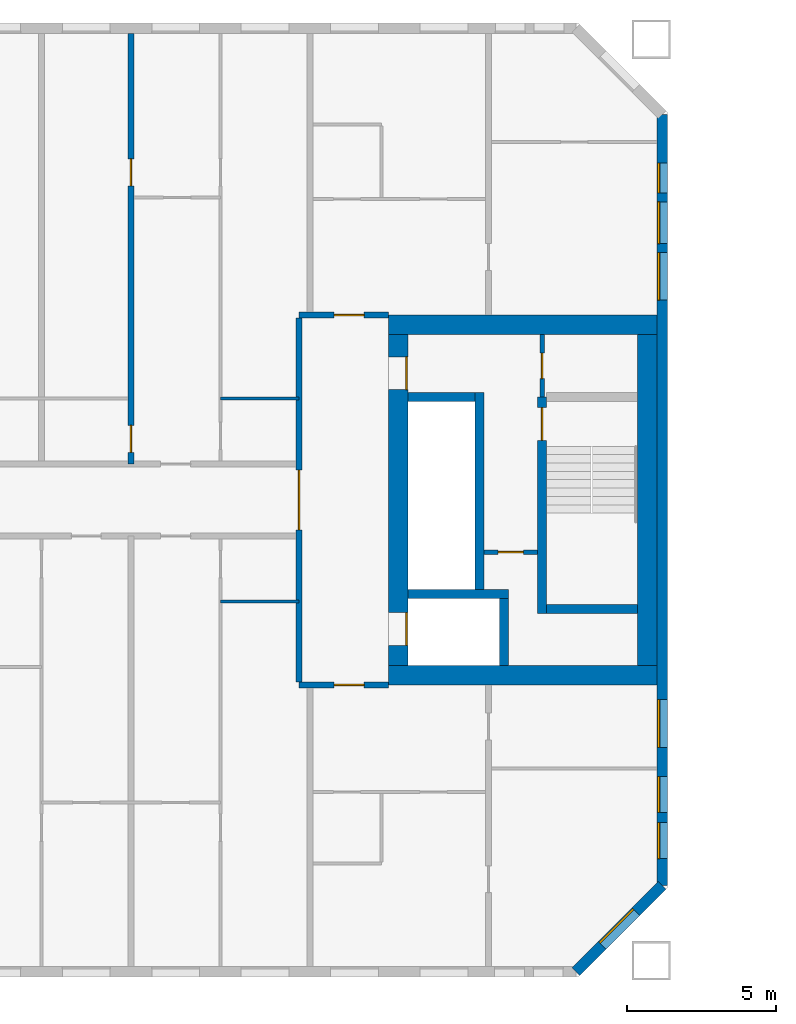
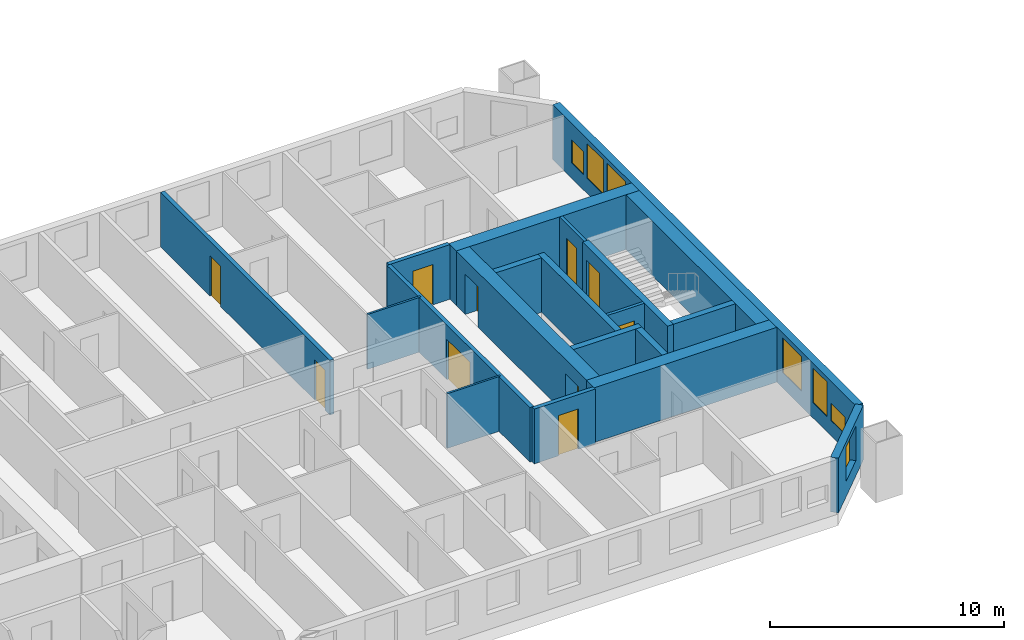
# One storey, part 7 of 16: 20 walls, 10 doors, 7 windows, 17 openings.
"""IFC4 building model written with IfcOpenShell, lengths in metres."""

import ifcopenshell
import ifcopenshell.guid

model = None  # the IFC model being written
_history = None  # IfcOwnerHistory: only IFC2X3 demands one
_inside = {}  # id of a spatial element -> (the spatial element, [elements in it])
_under = {}  # id of a project, library or spatial element -> (it, [spatial elements below it])
_declared = {}  # id of a project -> (the project, [libraries it declares])
_typed = {}  # id of a type object -> (the type object, [elements of that type])
_made_of = {}  # id of a material, layer set ... -> (it, [elements and type objects made of it])


def new_model(schema):
    """Start an empty IFC model of exactly this schema.

    Asked for "IFC4X3", IfcOpenShell would pick the latest addendum, in which some entities
    have other attributes; the version numbers below select the first issue.
    IFC2X3 requires an IfcOwnerHistory on every rooted entity: one is made here for all.
    """
    global model, _history
    if schema == "IFC4X3":
        model = ifcopenshell.file(schema_version=(4, 3, 0, 0))
    else:
        model = ifcopenshell.file(schema=schema)
    _inside.clear()
    _under.clear()
    _declared.clear()
    _typed.clear()
    _made_of.clear()
    _history = None
    if model.schema == "IFC2X3":
        org = make("IfcOrganization", Name="unknown")
        user = make(
            "IfcPersonAndOrganization",
            ThePerson=make("IfcPerson", FamilyName="unknown"),
            TheOrganization=org,
        )
        app = make(
            "IfcApplication",
            ApplicationDeveloper=org,
            Version="unknown",
            ApplicationFullName="unknown",
            ApplicationIdentifier="unknown",
        )
        _history = make(
            "IfcOwnerHistory",
            OwningUser=user,
            OwningApplication=app,
            ChangeAction="ADDED",
            CreationDate=0,
        )
    return model


def make(cls, **values):
    """One entity of the class cls with the attributes given. An attribute that is None is left unset."""
    return model.create_entity(
        cls, **{name: value for name, value in values.items() if value is not None}
    )


def rooted(cls, **values):
    """An entity with a GlobalId (a new one), such as an element, a storey or a relation."""
    return make(cls, GlobalId=ifcopenshell.guid.new(), OwnerHistory=_history, **values)


def si_unit(unit_type, name, prefix=None):
    """IfcSIUnit, for example si_unit("LENGTHUNIT", "METRE", prefix="MILLI")."""
    return make("IfcSIUnit", UnitType=unit_type, Prefix=prefix, Name=name)


def assignment(units):
    """IfcUnitAssignment: the units of a project."""
    return None if units is None else make("IfcUnitAssignment", Units=units)


def point(xyz):
    """IfcCartesianPoint."""
    return None if xyz is None else make("IfcCartesianPoint", Coordinates=xyz)


def direction(xyz):
    """IfcDirection."""
    return None if xyz is None else make("IfcDirection", DirectionRatios=xyz)


def frame(location, z_axis=None, x_axis=None):
    """IfcAxis2Placement3D, a coordinate frame: its origin and axes. An axis left out is left unset."""
    return make(
        "IfcAxis2Placement3D",
        Location=point(location),
        Axis=direction(z_axis),
        RefDirection=direction(x_axis),
    )


def frame_2d(location, x_axis=None):
    """IfcAxis2Placement2D, a coordinate frame in the plane: its origin and x axis."""
    return make(
        "IfcAxis2Placement2D", Location=point(location), RefDirection=direction(x_axis)
    )


def origin():
    """The frame at (0, 0, 0) with its axes left unset."""
    return frame((0.0, 0.0, 0.0))


def place(relative_to, where):
    """IfcLocalPlacement: puts the frame where relative to a parent placement (None: the world)."""
    return make(
        "IfcLocalPlacement", PlacementRelTo=relative_to, RelativePlacement=where
    )


def context(
    kind, dimensions, precision=None, world=None, true_north=None, identifier=None
):
    """IfcGeometricRepresentationContext, for example the 3D "Model" context."""
    return make(
        "IfcGeometricRepresentationContext",
        ContextIdentifier=identifier,
        ContextType=kind,
        CoordinateSpaceDimension=dimensions,
        Precision=precision,
        WorldCoordinateSystem=world,
        TrueNorth=true_north,
    )


def subcontext(parent, identifier, kind, view, scale=None):
    """IfcGeometricRepresentationSubContext, for example "Body" below "Model"."""
    return make(
        "IfcGeometricRepresentationSubContext",
        ContextIdentifier=identifier,
        ContextType=kind,
        ParentContext=parent,
        TargetScale=scale,
        TargetView=view,
    )


def project(units=None, contexts=None):
    """IfcProject with its units and contexts."""
    return rooted(
        "IfcProject",
        Name="project",
        RepresentationContexts=contexts,
        UnitsInContext=assignment(units),
    )


def spatial(cls, under=None, at=None, **own):
    """A site, building, storey or space (cls), placed at a placement, below another one or the project."""
    s = rooted(cls, ObjectPlacement=at, **own)
    if under is not None:
        _under.setdefault(under.id(), (under, []))[1].append(s)
    return s


def profile(cls, at=None, kind="AREA", **sizes):
    """A parametric profile (cls). Its sizes go by their IFC names, for example OverallWidth=200.0."""
    return make(cls, ProfileType=kind, Position=at, **sizes)


def rectangle(**sizes):
    """IfcRectangleProfileDef."""
    return profile("IfcRectangleProfileDef", **sizes)


def extrude(swept, where, along, depth):
    """IfcExtrudedAreaSolid: the profile swept, set in the frame where, extruded along a direction by depth."""
    return make(
        "IfcExtrudedAreaSolid",
        SweptArea=swept,
        Position=where,
        ExtrudedDirection=direction(along),
        Depth=depth,
    )


def shape(context_of_items, identifier, shape_type, items):
    """IfcShapeRepresentation: the items that make up one representation, for example the "Body"."""
    return make(
        "IfcShapeRepresentation",
        ContextOfItems=context_of_items,
        RepresentationIdentifier=identifier,
        RepresentationType=shape_type,
        Items=items,
    )


def material(Name=None, Category=None):
    """IfcMaterial."""
    return make("IfcMaterial", Name=Name, Category=Category)


def layer(
    of_material, thickness, ventilated=None, Name=None, Category=None, Priority=None
):
    """IfcMaterialLayer: one layer of a wall or slab, of a material (None: an air gap)."""
    return make(
        "IfcMaterialLayer",
        Material=of_material,
        LayerThickness=thickness,
        IsVentilated=ventilated,
        Name=Name,
        Category=Category,
        Priority=Priority,
    )


def layer_set(layers, Name=None):
    """IfcMaterialLayerSet."""
    return make("IfcMaterialLayerSet", MaterialLayers=layers, LayerSetName=Name)


def made_of(thing, what):
    """Note that an element or type object is made of a material, layer set ...; save() writes the relation."""
    if what is not None:
        _made_of.setdefault(what.id(), (what, []))[1].append(thing)
    return thing


def type_object(cls, material=None, **own):
    """A type object (cls), such as IfcWallType, which elements share."""
    return made_of(rooted(cls, **own), material)


def element(
    cls,
    number,
    at=None,
    inside=None,
    cuts=None,
    type_object=None,
    material=None,
    context=None,
    identifier="Body",
    shape_type=None,
    held_by="IfcProductDefinitionShape",
    body=None,
    shapes=None,
    **own,
):
    """One element of the class cls, such as IfcWall. Its Tag is "e" and its number.

    at: its placement. inside: the storey or other place that contains it. cuts: it is an
    opening in that element (IfcRelVoidsElement). A single representation is given by context,
    identifier, shape_type and body (its items); several are given by shapes. held_by: the class
    of the entity that holds the representations. save() writes the other relations.
    """
    e = rooted(cls, Tag="e%d" % number, ObjectPlacement=at, **own)
    if body is not None:
        shapes = [shape(context, identifier, shape_type, body)]
    if shapes is not None:
        e.Representation = make(held_by, Representations=shapes)
    if inside is not None:
        _inside.setdefault(inside.id(), (inside, []))[1].append(e)
    if cuts is not None:
        rooted(
            "IfcRelVoidsElement", RelatingBuildingElement=cuts, RelatedOpeningElement=e
        )
    if type_object is not None:
        _typed.setdefault(type_object.id(), (type_object, []))[1].append(e)
    return made_of(e, material)


def fill(opening, filler):
    """IfcRelFillsElement: the door or window that sits in an opening."""
    return rooted(
        "IfcRelFillsElement",
        RelatingOpeningElement=opening,
        RelatedBuildingElement=filler,
    )


def aggregate(whole, parts):
    """IfcRelAggregates: a whole, such as a stair, and the parts it consists of."""
    return rooted("IfcRelAggregates", RelatingObject=whole, RelatedObjects=parts)


def save(model, path):
    """Write the relations noted so far, then the file.

    IfcRelAggregates (storeys below a building ...), IfcRelContainedInSpatialStructure (elements
    in a storey), IfcRelDefinesByType, IfcRelAssociatesMaterial and IfcRelDeclares: one each for
    every whole, place, type object, material and project.
    """
    for whole, parts in _under.values():
        aggregate(whole, parts)
    for where, things in _inside.values():
        rooted(
            "IfcRelContainedInSpatialStructure",
            RelatedElements=things,
            RelatingStructure=where,
        )
    for kind, things in _typed.values():
        rooted("IfcRelDefinesByType", RelatedObjects=things, RelatingType=kind)
    for what, things in _made_of.values():
        rooted("IfcRelAssociatesMaterial", RelatedObjects=things, RelatingMaterial=what)
    for by, libraries in _declared.values():
        rooted("IfcRelDeclares", RelatingContext=by, RelatedDefinitions=libraries)
    model.write(path)


model = new_model("IFC4")

# Units and contexts
model_context = context("Model", 3, precision=1e-05, world=origin(), true_north=direction((0.0, 1.0)))
body_context = subcontext(model_context, "Body", "Model", "MODEL_VIEW")
ifc_project = project(units=[si_unit("LENGTHUNIT", "METRE"), si_unit("AREAUNIT", "SQUARE_METRE"), si_unit("VOLUMEUNIT", "CUBIC_METRE"), si_unit("PLANEANGLEUNIT", "RADIAN"), si_unit("MASSUNIT", "GRAM", prefix="KILO")], contexts=[model_context])

# Site, building, storey
site_placement = place(None, origin())
site = spatial("IfcSite", under=ifc_project, at=site_placement, CompositionType="ELEMENT")
building_placement = place(site_placement, origin())
building = spatial("IfcBuilding", under=site, at=building_placement, Name="Tuart Gate Housing", CompositionType="ELEMENT")
storey_placement = place(building_placement, frame((0.0, 0.0, 96.39990234375)))
storey = spatial("IfcBuildingStorey", under=building, at=storey_placement, Name="L26", CompositionType="ELEMENT", Elevation=96.39990234375)

# Wall, opening, window
ifc_material_1 = material(Name="Brick", Category="masonry")
ifc_layer_1 = layer(ifc_material_1, 0.360107421875)
ifc_layer_set_1 = layer_set([ifc_layer_1], Name="Brick pier and spandrel wall 360")
wall_type_1 = type_object("IfcWallType", Name="Brick pier and spandrel wall 360", PredefinedType="STANDARD", material=ifc_layer_set_1)
wall_1_placement = place(storey_placement, frame((72.92529296875, 54.179931640625, 0.0), z_axis=(0.0, 0.0, 1.0), x_axis=(0.707106781187, 0.707106781187, 0.0)))
wall_1 = element("IfcWall", 1, at=wall_1_placement, inside=storey, type_object=wall_type_1, Name="External wall A-SE L26", PredefinedType="STANDARD", context=body_context, shape_type="SweptSolid", body=[
    extrude(rectangle(XDim=4.09375, YDim=0.360107421875, at=frame_2d((2.046875, 0.0))), origin(), (0.0, 0.0, 1.0), 2.85009765625),
])
opening_1_placement = place(wall_1_placement, frame((1.2470703125, 0.0, 0.800048828125)))
opening_1 = element("IfcOpeningElement", 2, at=opening_1_placement, cuts=wall_1, Name="Opening W1", PredefinedType="OPENING", context=body_context, shape_type="SweptSolid", body=[
    extrude(rectangle(XDim=1.60009765625, YDim=1.800048828125, at=frame_2d((0.800048828125, 0.89990234375))), frame((0.0, 0.18994140625, 0.0), z_axis=(0.0, -1.0, 0.0), x_axis=(1.0, 0.0, 0.0)), (0.0, 0.0, 1.0), 0.380126953125),
])
ifc_material_2 = material(Name="Aluminium frame with clear glass", Category="aluminium")
window_type_1 = type_object("IfcWindowType", Name="Punched window 1600 x 1800", PartitioningType="SINGLE_PANEL", PredefinedType="WINDOW", material=ifc_material_2)
window_1_placement = place(opening_1_placement, origin())
window_1 = element("IfcWindow", 3, at=window_1_placement, inside=storey, type_object=window_type_1, Name="Window W1", OverallHeight=1.800048828125, OverallWidth=1.60009765625, PartitioningType="SINGLE_PANEL", PredefinedType="WINDOW", context=body_context, shape_type="SweptSolid", body=[
    extrude(rectangle(XDim=1.60009765625, YDim=1.800048828125, at=frame_2d((0.800048828125, 0.89990234375))), frame((0.0, 0.150146484375, 0.0), z_axis=(0.0, -1.0, 0.0), x_axis=(1.0, 0.0, 0.0)), (0.0, 0.0, 1.0), 0.06005859375),
])
fill(opening_1, window_1)

# Wall, openings, windows
wall_2_placement = place(storey_placement, frame((75.820068359375, 57.07470703125, 0.0), z_axis=(0.0, 0.0, 1.0), x_axis=(0.0, 1.0, 0.0)))
wall_2 = element("IfcWall", 4, at=wall_2_placement, inside=storey, type_object=wall_type_1, Name="External wall A-E L26", PredefinedType="STANDARD", context=body_context, shape_type="SweptSolid", body=[
    extrude(rectangle(XDim=25.850830078125, YDim=0.360107421875, at=frame_2d((12.92529296875, 0.0))), origin(), (0.0, 0.0, 1.0), 2.85009765625),
])
opening_2_placement = place(wall_2_placement, frame((0.89990234375, 0.0, 0.800048828125)))
opening_2 = element("IfcOpeningElement", 5, at=opening_2_placement, cuts=wall_2, Name="Opening W1T", PredefinedType="OPENING", context=body_context, shape_type="SweptSolid", body=[
    extrude(rectangle(XDim=1.199951171875, YDim=0.89990234375, at=frame_2d((0.60009765625, 0.449951171875))), frame((0.0, 0.18994140625, 0.0), z_axis=(0.0, -1.0, 0.0), x_axis=(1.0, 0.0, 0.0)), (0.0, 0.0, 1.0), 0.380126953125),
])
opening_3_placement = place(wall_2_placement, frame((4.62548828125, 0.0, 0.800048828125)))
opening_3 = element("IfcOpeningElement", 6, at=opening_3_placement, cuts=wall_2, Name="Opening W1", PredefinedType="OPENING", context=body_context, shape_type="SweptSolid", body=[
    extrude(rectangle(XDim=1.60009765625, YDim=1.800048828125, at=frame_2d((0.800048828125, 0.89990234375))), frame((0.0, 0.18994140625, 0.0), z_axis=(0.0, -1.0, 0.0), x_axis=(1.0, 0.0, 0.0)), (0.0, 0.0, 1.0), 0.380126953125),
])
opening_4_placement = place(wall_2_placement, frame((19.62548828125, 0.0, 0.800048828125)))
opening_4 = element("IfcOpeningElement", 7, at=opening_4_placement, cuts=wall_2, Name="Opening W1", PredefinedType="OPENING", context=body_context, shape_type="SweptSolid", body=[
    extrude(rectangle(XDim=1.60009765625, YDim=1.800048828125, at=frame_2d((0.800048828125, 0.89990234375))), frame((0.0, 0.18994140625, 0.0), z_axis=(0.0, -1.0, 0.0), x_axis=(1.0, 0.0, 0.0)), (0.0, 0.0, 1.0), 0.380126953125),
])
opening_5_placement = place(wall_2_placement, frame((21.525390625, 0.0, 0.800048828125)))
opening_5 = element("IfcOpeningElement", 8, at=opening_5_placement, cuts=wall_2, Name="Opening W1A", PredefinedType="OPENING", context=body_context, shape_type="SweptSolid", body=[
    extrude(rectangle(XDim=1.39990234375, YDim=1.800048828125, at=frame_2d((0.699951171875, 0.89990234375))), frame((0.0, 0.18994140625, 0.0), z_axis=(0.0, -1.0, 0.0), x_axis=(1.0, 0.0, 0.0)), (0.0, 0.0, 1.0), 0.380126953125),
])
opening_6_placement = place(wall_2_placement, frame((2.449951171875, 0.0, 0.800048828125)))
opening_6 = element("IfcOpeningElement", 9, at=opening_6_placement, cuts=wall_2, Name="Opening W1B", PredefinedType="OPENING", context=body_context, shape_type="SweptSolid", body=[
    extrude(rectangle(XDim=1.199951171875, YDim=1.800048828125, at=frame_2d((0.60009765625, 0.89990234375))), frame((0.0, 0.18994140625, 0.0), z_axis=(0.0, -1.0, 0.0), x_axis=(1.0, 0.0, 0.0)), (0.0, 0.0, 1.0), 0.380126953125),
])
opening_7_placement = place(wall_2_placement, frame((23.225341796875, 0.0, 0.800048828125)))
opening_7 = element("IfcOpeningElement", 10, at=opening_7_placement, cuts=wall_2, Name="Opening W1O", PredefinedType="OPENING", context=body_context, shape_type="SweptSolid", body=[
    extrude(rectangle(XDim=1.0, YDim=1.199951171875, at=frame_2d((0.5, 0.60009765625))), frame((0.0, 0.18994140625, 0.0), z_axis=(0.0, -1.0, 0.0), x_axis=(1.0, 0.0, 0.0)), (0.0, 0.0, 1.0), 0.380126953125),
])
ifc_material_3 = material(Name="Aluminium frame with clear glass", Category="aluminium")
window_type_2 = type_object("IfcWindowType", Name="Punched window 1000 x 1200", PartitioningType="SINGLE_PANEL", PredefinedType="WINDOW", material=ifc_material_3)
window_2_placement = place(opening_7_placement, origin())
window_2 = element("IfcWindow", 11, at=window_2_placement, inside=storey, type_object=window_type_2, Name="Window W1O", OverallHeight=1.199951171875, OverallWidth=1.0, PartitioningType="SINGLE_PANEL", PredefinedType="WINDOW", context=body_context, shape_type="SweptSolid", body=[
    extrude(rectangle(XDim=1.0, YDim=1.199951171875, at=frame_2d((0.5, 0.60009765625))), frame((0.0, 0.150146484375, 0.0), z_axis=(0.0, -1.0, 0.0), x_axis=(1.0, 0.0, 0.0)), (0.0, 0.0, 1.0), 0.06005859375),
])
fill(opening_7, window_2)
ifc_material_4 = material(Name="Aluminium frame with clear glass", Category="aluminium")
window_type_3 = type_object("IfcWindowType", Name="Punched window 1200 x 1800", PartitioningType="SINGLE_PANEL", PredefinedType="WINDOW", material=ifc_material_4)
window_3_placement = place(opening_6_placement, origin())
window_3 = element("IfcWindow", 12, at=window_3_placement, inside=storey, type_object=window_type_3, Name="Window W1B", OverallHeight=1.800048828125, OverallWidth=1.199951171875, PartitioningType="SINGLE_PANEL", PredefinedType="WINDOW", context=body_context, shape_type="SweptSolid", body=[
    extrude(rectangle(XDim=1.199951171875, YDim=1.800048828125, at=frame_2d((0.60009765625, 0.89990234375))), frame((0.0, 0.150146484375, 0.0), z_axis=(0.0, -1.0, 0.0), x_axis=(1.0, 0.0, 0.0)), (0.0, 0.0, 1.0), 0.06005859375),
])
fill(opening_6, window_3)
ifc_material_5 = material(Name="Aluminium frame with clear glass", Category="aluminium")
window_type_4 = type_object("IfcWindowType", Name="Punched window 1200 x 900", PartitioningType="SINGLE_PANEL", PredefinedType="WINDOW", material=ifc_material_5)
window_4_placement = place(opening_2_placement, origin())
window_4 = element("IfcWindow", 13, at=window_4_placement, inside=storey, type_object=window_type_4, Name="Window W1T", OverallHeight=0.89990234375, OverallWidth=1.199951171875, PartitioningType="SINGLE_PANEL", PredefinedType="WINDOW", context=body_context, shape_type="SweptSolid", body=[
    extrude(rectangle(XDim=1.199951171875, YDim=0.89990234375, at=frame_2d((0.60009765625, 0.449951171875))), frame((0.0, 0.150146484375, 0.0), z_axis=(0.0, -1.0, 0.0), x_axis=(1.0, 0.0, 0.0)), (0.0, 0.0, 1.0), 0.06005859375),
])
fill(opening_2, window_4)
ifc_material_6 = material(Name="Aluminium frame with clear glass", Category="aluminium")
window_type_5 = type_object("IfcWindowType", Name="Punched window 1400 x 1800", PartitioningType="SINGLE_PANEL", PredefinedType="WINDOW", material=ifc_material_6)
window_5_placement = place(opening_5_placement, origin())
window_5 = element("IfcWindow", 14, at=window_5_placement, inside=storey, type_object=window_type_5, Name="Window W1A", OverallHeight=1.800048828125, OverallWidth=1.39990234375, PartitioningType="SINGLE_PANEL", PredefinedType="WINDOW", context=body_context, shape_type="SweptSolid", body=[
    extrude(rectangle(XDim=1.39990234375, YDim=1.800048828125, at=frame_2d((0.699951171875, 0.89990234375))), frame((0.0, 0.150146484375, 0.0), z_axis=(0.0, -1.0, 0.0), x_axis=(1.0, 0.0, 0.0)), (0.0, 0.0, 1.0), 0.06005859375),
])
fill(opening_5, window_5)
window_6_placement = place(opening_3_placement, origin())
window_6 = element("IfcWindow", 15, at=window_6_placement, inside=storey, type_object=window_type_1, Name="Window W1", OverallHeight=1.800048828125, OverallWidth=1.60009765625, PartitioningType="SINGLE_PANEL", PredefinedType="WINDOW", context=body_context, shape_type="SweptSolid", body=[
    extrude(rectangle(XDim=1.60009765625, YDim=1.800048828125, at=frame_2d((0.800048828125, 0.89990234375))), frame((0.0, 0.150146484375, 0.0), z_axis=(0.0, -1.0, 0.0), x_axis=(1.0, 0.0, 0.0)), (0.0, 0.0, 1.0), 0.06005859375),
])
fill(opening_3, window_6)
window_7_placement = place(opening_4_placement, origin())
window_7 = element("IfcWindow", 16, at=window_7_placement, inside=storey, type_object=window_type_1, Name="Window W1", OverallHeight=1.800048828125, OverallWidth=1.60009765625, PartitioningType="SINGLE_PANEL", PredefinedType="WINDOW", context=body_context, shape_type="SweptSolid", body=[
    extrude(rectangle(XDim=1.60009765625, YDim=1.800048828125, at=frame_2d((0.800048828125, 0.89990234375))), frame((0.0, 0.150146484375, 0.0), z_axis=(0.0, -1.0, 0.0), x_axis=(1.0, 0.0, 0.0)), (0.0, 0.0, 1.0), 0.06005859375),
])
fill(opening_4, window_7)

# Wall, opening, door
ifc_material_7 = material(Name="Plasterboard partition")
ifc_layer_2 = layer(ifc_material_7, 0.14990234375)
ifc_layer_set_2 = layer_set([ifc_layer_2], Name="Core partition 150")
wall_type_2 = type_object("IfcWallType", Name="Core partition 150", PredefinedType="PARTITIONING", material=ifc_layer_set_2)
wall_3_placement = place(storey_placement, frame((69.840087890625, 68.25, 0.0), z_axis=(0.0, 0.0, 1.0), x_axis=(1.0, 0.0, 0.0)))
wall_3 = element("IfcWall", 17, at=wall_3_placement, inside=storey, type_object=wall_type_2, Name="Core partition AG.3", PredefinedType="PARTITIONING", context=body_context, shape_type="SweptSolid", body=[
    extrude(rectangle(XDim=1.7998046875, YDim=0.14990234375, at=frame_2d((0.89990234375, 0.0))), origin(), (0.0, 0.0, 1.0), 2.85009765625),
])
opening_8_placement = place(wall_3_placement, frame((0.47509765625, 0.0, 0.0)))
opening_8 = element("IfcOpeningElement", 18, at=opening_8_placement, cuts=wall_3, Name="Opening D1102", PredefinedType="OPENING", context=body_context, shape_type="SweptSolid", body=[
    extrude(rectangle(XDim=0.85009765625, YDim=2.10009765625, at=frame_2d((0.425048828125, 1.050048828125))), frame((0.0, 0.0849609375, 0.0), z_axis=(0.0, -1.0, 0.0), x_axis=(1.0, 0.0, 0.0)), (0.0, 0.0, 1.0), 0.169921875),
])
ifc_material_8 = material(Name="Steel fire door", Category="steel")
door_type_1 = type_object("IfcDoorType", Name="Riser door 850 x 2100 RH", OperationType="SINGLE_SWING_RIGHT", PredefinedType="DOOR", material=ifc_material_8)
door_1_placement = place(opening_8_placement, frame((0.85009765625, 0.0, 0.0), z_axis=(0.0, 0.0, 1.0), x_axis=(-1.0, 0.0, 0.0)))
door_1 = element("IfcDoor", 19, at=door_1_placement, inside=storey, type_object=door_type_1, Name="Service room door AG.E1", OperationType="SINGLE_SWING_RIGHT", OverallHeight=2.10009765625, OverallWidth=0.85009765625, PredefinedType="DOOR", context=body_context, shape_type="SweptSolid", body=[
    extrude(rectangle(XDim=0.85009765625, YDim=2.10009765625, at=frame_2d((0.425048828125, 1.050048828125))), frame((0.0, 0.025146484375, 0.0), z_axis=(0.0, -1.0, 0.0), x_axis=(1.0, 0.0, 0.0)), (0.0, 0.0, 1.0), 0.050048828125),
])
fill(opening_8, door_1)

wall_4_placement = place(storey_placement, frame((71.7900390625, 73.449951171875, 0.0), z_axis=(0.0, 0.0, 1.0), x_axis=(0.0, 1.0, 0.0)))
wall_4 = element("IfcWall", 20, at=wall_4_placement, inside=storey, type_object=wall_type_2, Name="Core partition AG.9", PredefinedType="PARTITIONING", context=body_context, shape_type="SweptSolid", body=[
    extrude(rectangle(XDim=2.10009765625, YDim=0.14990234375, at=frame_2d((1.050048828125, 0.0))), origin(), (0.0, 0.0, 1.0), 2.85009765625),
])
opening_9_placement = place(wall_4_placement, frame((0.625, 0.0, 0.0)))
opening_9 = element("IfcOpeningElement", 21, at=opening_9_placement, cuts=wall_4, Name="Opening D1088", PredefinedType="OPENING", context=body_context, shape_type="SweptSolid", body=[
    extrude(rectangle(XDim=0.85009765625, YDim=2.10009765625, at=frame_2d((0.425048828125, 1.050048828125))), frame((0.0, 0.0849609375, 0.0), z_axis=(0.0, -1.0, 0.0), x_axis=(1.0, 0.0, 0.0)), (0.0, 0.0, 1.0), 0.169921875),
])
ifc_material_9 = material(Name="Steel fire door", Category="steel")
door_type_2 = type_object("IfcDoorType", Name="Service door 850 x 2100 RH", OperationType="SINGLE_SWING_RIGHT", PredefinedType="DOOR", material=ifc_material_9)
door_2_placement = place(opening_9_placement, frame((0.85009765625, 0.0, 0.0), z_axis=(0.0, 0.0, 1.0), x_axis=(-1.0, 0.0, 0.0)))
door_2 = element("IfcDoor", 22, at=door_2_placement, inside=storey, type_object=door_type_2, Name="Service room door AG.ST", OperationType="SINGLE_SWING_RIGHT", OverallHeight=2.10009765625, OverallWidth=0.85009765625, PredefinedType="DOOR", context=body_context, shape_type="SweptSolid", body=[
    extrude(rectangle(XDim=0.85009765625, YDim=2.10009765625, at=frame_2d((0.425048828125, 1.050048828125))), frame((0.0, 0.025146484375, 0.0), z_axis=(0.0, -1.0, 0.0), x_axis=(1.0, 0.0, 0.0)), (0.0, 0.0, 1.0), 0.050048828125),
])
fill(opening_9, door_2)

# Walls
ifc_material_10 = material(Name="Concrete C50", Category="concrete")
ifc_layer_3 = layer(ifc_material_10, 0.300048828125)
ifc_layer_set_3 = layer_set([ifc_layer_3], Name="Core wall 300 C50")
wall_type_3 = type_object("IfcWallType", Name="Core wall 300 C50", PredefinedType="SHEAR", material=ifc_layer_set_3)
wall_5_placement = place(storey_placement, frame((71.93994140625, 66.35009765625, 0.0), z_axis=(0.0, 0.0, 1.0), x_axis=(1.0, 0.0, 0.0)))
element("IfcWall", 23, at=wall_5_placement, inside=storey, type_object=wall_type_3, Name="Core wall AG.1", PredefinedType="SHEAR", context=body_context, shape_type="SweptSolid", body=[
    extrude(rectangle(XDim=3.050048828125, YDim=0.300048828125, at=frame_2d((1.52490234375, 0.0))), origin(), (0.0, 0.0, 1.0), 2.85009765625),
])
wall_6_placement = place(storey_placement, frame((67.2900390625, 66.85009765625, 0.0), z_axis=(0.0, 0.0, 1.0), x_axis=(1.0, 0.0, 0.0)))
element("IfcWall", 24, at=wall_6_placement, inside=storey, type_object=wall_type_3, Name="Core wall AG.2", PredefinedType="SHEAR", context=body_context, shape_type="SweptSolid", body=[
    extrude(rectangle(XDim=3.369873046875, YDim=0.300048828125, at=frame_2d((1.68505859375, 0.0))), origin(), (0.0, 0.0, 1.0), 2.85009765625),
])
wall_7_placement = place(storey_placement, frame((67.2900390625, 73.449951171875, 0.0), z_axis=(0.0, 0.0, 1.0), x_axis=(1.0, 0.0, 0.0)))
element("IfcWall", 25, at=wall_7_placement, inside=storey, type_object=wall_type_3, Name="Core wall AG.4", PredefinedType="SHEAR", context=body_context, shape_type="SweptSolid", body=[
    extrude(rectangle(XDim=2.25, YDim=0.300048828125, at=frame_2d((1.125, 0.0))), origin(), (0.0, 0.0, 1.0), 2.85009765625),
])
wall_8_placement = place(storey_placement, frame((69.68994140625, 67.0, 0.0), z_axis=(0.0, 0.0, 1.0), x_axis=(0.0, 1.0, 0.0)))
element("IfcWall", 26, at=wall_8_placement, inside=storey, type_object=wall_type_3, Name="Core wall AG.6", PredefinedType="SHEAR", context=body_context, shape_type="SweptSolid", body=[
    extrude(rectangle(XDim=6.60009765625, YDim=0.300048828125, at=frame_2d((3.300048828125, 0.0))), origin(), (0.0, 0.0, 1.0), 2.85009765625),
])
wall_9_placement = place(storey_placement, frame((70.510009765625, 64.449951171875, 0.0), z_axis=(0.0, 0.0, 1.0), x_axis=(0.0, 1.0, 0.0)))
element("IfcWall", 27, at=wall_9_placement, inside=storey, type_object=wall_type_3, Name="Core wall AG.7", PredefinedType="SHEAR", context=body_context, shape_type="SweptSolid", body=[
    extrude(rectangle(XDim=2.25, YDim=0.300048828125, at=frame_2d((1.125, 0.0))), origin(), (0.0, 0.0, 1.0), 2.85009765625),
])

# Wall, opening, door
wall_10_placement = place(storey_placement, frame((71.7900390625, 66.199951171875, 0.0), z_axis=(0.0, 0.0, 1.0), x_axis=(0.0, 1.0, 0.0)))
wall_10 = element("IfcWall", 28, at=wall_10_placement, inside=storey, type_object=wall_type_3, Name="Core wall AG.8", PredefinedType="SHEAR", context=body_context, shape_type="SweptSolid", body=[
    extrude(rectangle(XDim=7.25, YDim=0.300048828125, at=frame_2d((3.625, 0.0))), origin(), (0.0, 0.0, 1.0), 2.85009765625),
])
opening_10_placement = place(wall_10_placement, frame((5.800048828125, 0.0, 0.0)))
opening_10 = element("IfcOpeningElement", 29, at=opening_10_placement, cuts=wall_10, Name="Opening D1098", PredefinedType="OPENING", context=body_context, shape_type="SweptSolid", body=[
    extrude(rectangle(XDim=1.10009765625, YDim=2.10009765625, at=frame_2d((0.550048828125, 1.050048828125))), frame((0.0, 0.159912109375, 0.0), z_axis=(0.0, -1.0, 0.0), x_axis=(1.0, 0.0, 0.0)), (0.0, 0.0, 1.0), 0.320068359375),
])
ifc_material_11 = material(Name="Steel fire door", Category="steel")
door_type_3 = type_object("IfcDoorType", Name="Stair door 1100 x 2100", OperationType="SINGLE_SWING_LEFT", PredefinedType="DOOR", material=ifc_material_11)
door_3_placement = place(opening_10_placement, frame((1.10009765625, 0.0, 0.0), z_axis=(0.0, 0.0, 1.0), x_axis=(-1.0, 0.0, 0.0)))
door_3 = element("IfcDoor", 30, at=door_3_placement, inside=storey, type_object=door_type_3, Name="Stair door AG.SD", OperationType="SINGLE_SWING_LEFT", OverallHeight=2.10009765625, OverallWidth=1.10009765625, PredefinedType="DOOR", context=body_context, shape_type="SweptSolid", body=[
    extrude(rectangle(XDim=1.10009765625, YDim=2.10009765625, at=frame_2d((0.550048828125, 1.050048828125))), frame((0.0, 0.025146484375, 0.0), z_axis=(0.0, -1.0, 0.0), x_axis=(1.0, 0.0, 0.0)), (0.0, 0.0, 1.0), 0.050048828125),
])
fill(opening_10, door_3)

# Wall, openings, doors
ifc_material_12 = material(Name="Concrete C50", Category="concrete")
ifc_layer_4 = layer(ifc_material_12, 0.64990234375)
ifc_layer_set_4 = layer_set([ifc_layer_4], Name="Core wall 650 C50")
wall_type_4 = type_object("IfcWallType", Name="Core wall 650 C50", PredefinedType="SHEAR", material=ifc_layer_set_4)
wall_11_placement = place(storey_placement, frame((66.965087890625, 64.449951171875, 0.0), z_axis=(0.0, 0.0, 1.0), x_axis=(0.0, 1.0, 0.0)))
wall_11 = element("IfcWall", 31, at=wall_11_placement, inside=storey, type_object=wall_type_4, Name="Core wall AG front", PredefinedType="SHEAR", context=body_context, shape_type="SweptSolid", body=[
    extrude(rectangle(XDim=11.10009765625, YDim=0.64990234375, at=frame_2d((5.550048828125, 0.0))), origin(), (0.0, 0.0, 1.0), 2.85009765625),
])
opening_11_placement = place(wall_11_placement, frame((0.675048828125, 0.0, 0.0)))
opening_11 = element("IfcOpeningElement", 32, at=opening_11_placement, cuts=wall_11, Name="Opening LD-FA1", PredefinedType="OPENING", context=body_context, shape_type="SweptSolid", body=[
    extrude(rectangle(XDim=1.10009765625, YDim=2.10009765625, at=frame_2d((0.550048828125, 1.050048828125))), frame((0.0, 0.3349609375, 0.0), z_axis=(0.0, -1.0, 0.0), x_axis=(1.0, 0.0, 0.0)), (0.0, 0.0, 1.0), 0.669921875),
])
opening_12_placement = place(wall_11_placement, frame((9.25, 0.0, 0.0)))
opening_12 = element("IfcOpeningElement", 33, at=opening_12_placement, cuts=wall_11, Name="Opening D1097", PredefinedType="OPENING", context=body_context, shape_type="SweptSolid", body=[
    extrude(rectangle(XDim=1.10009765625, YDim=2.10009765625, at=frame_2d((0.550048828125, 1.050048828125))), frame((0.0, 0.3349609375, 0.0), z_axis=(0.0, -1.0, 0.0), x_axis=(1.0, 0.0, 0.0)), (0.0, 0.0, 1.0), 0.669921875),
])
ifc_material_13 = material(Name="Stainless steel", Category="steel")
door_type_4 = type_object("IfcDoorType", Name="Landing door 1100 x 2100", OperationType="DOUBLE_DOOR_SLIDING", PredefinedType="DOOR", material=ifc_material_13)
door_4_placement = place(opening_11_placement, origin())
door_4 = element("IfcDoor", 34, at=door_4_placement, inside=storey, type_object=door_type_4, Name="Lift landing door FA1", OperationType="DOUBLE_DOOR_SLIDING", OverallHeight=2.10009765625, OverallWidth=1.10009765625, PredefinedType="DOOR", context=body_context, shape_type="SweptSolid", body=[
    extrude(rectangle(XDim=1.10009765625, YDim=2.10009765625, at=frame_2d((0.550048828125, 1.050048828125))), frame((0.0, -0.259765625, 0.0), z_axis=(0.0, -1.0, 0.0), x_axis=(1.0, 0.0, 0.0)), (0.0, 0.0, 1.0), 0.050048828125),
])
fill(opening_11, door_4)
ifc_material_14 = material(Name="Steel fire door", Category="steel")
door_type_5 = type_object("IfcDoorType", Name="Lobby door 1100 x 2100 RH", OperationType="SINGLE_SWING_RIGHT", PredefinedType="DOOR", material=ifc_material_14)
door_5_placement = place(opening_12_placement, frame((1.10009765625, 0.0, 0.0), z_axis=(0.0, 0.0, 1.0), x_axis=(-1.0, 0.0, 0.0)))
door_5 = element("IfcDoor", 35, at=door_5_placement, inside=storey, type_object=door_type_5, Name="Lobby entry door AG.EN", OperationType="SINGLE_SWING_RIGHT", OverallHeight=2.10009765625, OverallWidth=1.10009765625, PredefinedType="DOOR", context=body_context, shape_type="SweptSolid", body=[
    extrude(rectangle(XDim=1.10009765625, YDim=2.10009765625, at=frame_2d((0.550048828125, 1.050048828125))), frame((0.0, 0.309814453125, 0.0), z_axis=(0.0, -1.0, 0.0), x_axis=(1.0, 0.0, 0.0)), (0.0, 0.0, 1.0), 0.050048828125),
])
fill(opening_12, door_5)

# Walls
wall_12_placement = place(storey_placement, frame((75.31494140625, 64.449951171875, 0.0), z_axis=(0.0, 0.0, 1.0), x_axis=(0.0, 1.0, 0.0)))
element("IfcWall", 36, at=wall_12_placement, inside=storey, type_object=wall_type_4, Name="Core wall AG back", PredefinedType="SHEAR", context=body_context, shape_type="SweptSolid", body=[
    extrude(rectangle(XDim=11.10009765625, YDim=0.64990234375, at=frame_2d((5.550048828125, 0.0))), origin(), (0.0, 0.0, 1.0), 2.85009765625),
])
for number, where, z_axis, x_axis, name in (
    (37, (66.639892578125, 64.125, 0.0), (0.0, 0.0, 1.0), (1.0, 0.0, 0.0), "Core wall AG south"),
    (38, (66.639892578125, 75.875, 0.0), (0.0, 0.0, 1.0), (1.0, 0.0, 0.0), "Core wall AG north"),
):
    element("IfcWall", number, at=place(storey_placement, frame(where, z_axis=z_axis, x_axis=x_axis)), inside=storey, type_object=wall_type_4, Name=name, PredefinedType="SHEAR", context=body_context, shape_type="SweptSolid", body=[
        extrude(rectangle(XDim=9.0, YDim=0.64990234375, at=frame_2d((4.5, 0.0))), origin(), (0.0, 0.0, 1.0), 2.85009765625),
    ])

# Wall, opening, door
ifc_material_15 = material(Name="Concrete masonry 15 MPa", Category="masonry")
ifc_layer_5 = layer(ifc_material_15, 0.199951171875)
ifc_layer_set_5 = layer_set([ifc_layer_5], Name="Enclosure wall masonry 200")
wall_type_5 = type_object("IfcWallType", Name="Enclosure wall masonry 200", PredefinedType="PARTITIONING", material=ifc_layer_set_5)
wall_13_placement = place(storey_placement, frame((63.639892578125, 63.800048828125, 0.0), z_axis=(0.0, 0.0, 1.0), x_axis=(1.0, 0.0, 0.0)))
wall_13 = element("IfcWall", 39, at=wall_13_placement, inside=storey, type_object=wall_type_5, Name="Enclosure wall masonry 200", PredefinedType="PARTITIONING", context=body_context, shape_type="SweptSolid", body=[
    extrude(rectangle(XDim=3.0, YDim=0.199951171875, at=frame_2d((1.5, 0.0))), origin(), (0.0, 0.0, 1.0), 2.85009765625),
])
opening_13_placement = place(wall_13_placement, frame((1.179931640625, 0.0, 0.0)))
opening_13 = element("IfcOpeningElement", 40, at=opening_13_placement, cuts=wall_13, Name="Opening D1105", PredefinedType="OPENING", context=body_context, shape_type="SweptSolid", body=[
    extrude(rectangle(XDim=1.0, YDim=2.10009765625, at=frame_2d((0.5, 1.050048828125))), frame((0.0, 0.10986328125, 0.0), z_axis=(0.0, -1.0, 0.0), x_axis=(1.0, 0.0, 0.0)), (0.0, 0.0, 1.0), 0.219970703125),
])
ifc_material_16 = material(Name="Timber door leaf in steel frame", Category="steel")
door_type_6 = type_object("IfcDoorType", Name="Flat entrance door 1000 RH", OperationType="SINGLE_SWING_RIGHT", PredefinedType="DOOR", material=ifc_material_16)
door_6_placement = place(opening_13_placement, frame((1.0, 0.0, 0.0), z_axis=(0.0, 0.0, 1.0), x_axis=(-1.0, 0.0, 0.0)))
door_6 = element("IfcDoor", 41, at=door_6_placement, inside=storey, type_object=door_type_6, Name="Flat entrance door", OperationType="SINGLE_SWING_RIGHT", OverallHeight=2.10009765625, OverallWidth=1.0, PredefinedType="DOOR", context=body_context, shape_type="SweptSolid", body=[
    extrude(rectangle(XDim=1.0, YDim=2.10009765625, at=frame_2d((0.5, 1.050048828125))), frame((0.0, 0.025146484375, 0.0), z_axis=(0.0, -1.0, 0.0), x_axis=(1.0, 0.0, 0.0)), (0.0, 0.0, 1.0), 0.050048828125),
])
fill(opening_13, door_6)

wall_14_placement = place(storey_placement, frame((63.639892578125, 76.199951171875, 0.0), z_axis=(0.0, 0.0, 1.0), x_axis=(1.0, 0.0, 0.0)))
wall_14 = element("IfcWall", 42, at=wall_14_placement, inside=storey, type_object=wall_type_5, Name="Enclosure wall masonry 200", PredefinedType="PARTITIONING", context=body_context, shape_type="SweptSolid", body=[
    extrude(rectangle(XDim=3.0, YDim=0.199951171875, at=frame_2d((1.5, 0.0))), origin(), (0.0, 0.0, 1.0), 2.85009765625),
])
opening_14_placement = place(wall_14_placement, frame((1.179931640625, 0.0, 0.0)))
opening_14 = element("IfcOpeningElement", 43, at=opening_14_placement, cuts=wall_14, Name="Opening D1087", PredefinedType="OPENING", context=body_context, shape_type="SweptSolid", body=[
    extrude(rectangle(XDim=1.0, YDim=2.10009765625, at=frame_2d((0.5, 1.050048828125))), frame((0.0, 0.10986328125, 0.0), z_axis=(0.0, -1.0, 0.0), x_axis=(1.0, 0.0, 0.0)), (0.0, 0.0, 1.0), 0.219970703125),
])
ifc_material_17 = material(Name="Timber door leaf in steel frame", Category="steel")
door_type_7 = type_object("IfcDoorType", Name="Flat entrance door 1000", OperationType="SINGLE_SWING_LEFT", PredefinedType="DOOR", material=ifc_material_17)
door_7_placement = place(opening_14_placement, origin())
door_7 = element("IfcDoor", 44, at=door_7_placement, inside=storey, type_object=door_type_7, Name="Flat entrance door", OperationType="SINGLE_SWING_LEFT", OverallHeight=2.10009765625, OverallWidth=1.0, PredefinedType="DOOR", context=body_context, shape_type="SweptSolid", body=[
    extrude(rectangle(XDim=1.0, YDim=2.10009765625, at=frame_2d((0.5, 1.050048828125))), frame((0.0, 0.02490234375, 0.0), z_axis=(0.0, -1.0, 0.0), x_axis=(1.0, 0.0, 0.0)), (0.0, 0.0, 1.0), 0.050048828125),
])
fill(opening_14, door_7)

ifc_material_18 = material(Name="Plasterboard partition")
ifc_layer_6 = layer(ifc_material_18, 0.199951171875)
ifc_layer_set_6 = layer_set([ifc_layer_6], Name="Lobby wall 200")
wall_type_6 = type_object("IfcWallType", Name="Lobby wall 200", PredefinedType="PARTITIONING", material=ifc_layer_set_6)
wall_15_placement = place(storey_placement, frame((63.639892578125, 63.89990234375, 0.0), z_axis=(0.0, 0.0, 1.0), x_axis=(0.0, 1.0, 0.0)))
wall_15 = element("IfcWall", 45, at=wall_15_placement, inside=storey, type_object=wall_type_6, Name="Lift lobby wall AG", PredefinedType="PARTITIONING", context=body_context, shape_type="SweptSolid", body=[
    extrude(rectangle(XDim=12.2001953125, YDim=0.199951171875, at=frame_2d((6.10009765625, 0.0))), origin(), (0.0, 0.0, 1.0), 2.85009765625),
])
opening_15_placement = place(wall_15_placement, frame((5.10009765625, 0.0, 0.0)))
opening_15 = element("IfcOpeningElement", 46, at=opening_15_placement, cuts=wall_15, Name="Opening D1096", PredefinedType="OPENING", context=body_context, shape_type="SweptSolid", body=[
    extrude(rectangle(XDim=2.0, YDim=2.10009765625, at=frame_2d((1.0, 1.050048828125))), frame((0.0, 0.10986328125, 0.0), z_axis=(0.0, -1.0, 0.0), x_axis=(1.0, 0.0, 0.0)), (0.0, 0.0, 1.0), 0.219970703125),
])
ifc_material_19 = material(Name="Steel fire door", Category="steel")
door_type_8 = type_object("IfcDoorType", Name="Smoke door 2000 x 2100", OperationType="DOUBLE_DOOR_SINGLE_SWING", PredefinedType="DOOR", material=ifc_material_19)
door_8_placement = place(opening_15_placement, frame((2.0, 0.0, 0.0), z_axis=(0.0, 0.0, 1.0), x_axis=(-1.0, 0.0, 0.0)))
door_8 = element("IfcDoor", 47, at=door_8_placement, inside=storey, type_object=door_type_8, Name="Lift lobby smoke door AG", OperationType="DOUBLE_DOOR_SINGLE_SWING", OverallHeight=2.10009765625, OverallWidth=2.0, PredefinedType="DOOR", context=body_context, shape_type="SweptSolid", body=[
    extrude(rectangle(XDim=2.0, YDim=2.10009765625, at=frame_2d((1.0, 1.050048828125))), frame((0.0, 0.025146484375, 0.0), z_axis=(0.0, -1.0, 0.0), x_axis=(1.0, 0.0, 0.0)), (0.0, 0.0, 1.0), 0.050048828125),
])
fill(opening_15, door_8)

# Walls
ifc_material_20 = material(Name="Gypsum board on steel studs", Category="steel")
ifc_layer_7 = layer(ifc_material_20, 0.10009765625)
ifc_layer_set_7 = layer_set([ifc_layer_7], Name="Partition 100")
wall_type_7 = type_object("IfcWallType", Name="Partition 100", PredefinedType="PARTITIONING", material=ifc_layer_set_7)
for number, where, z_axis, x_axis, name in (
    (48, (61.0, 66.60009765625, 0.0), (0.0, 0.0, 1.0), (1.0, 0.0, 0.0), "Partition 100"),
    (49, (61.0, 73.39990234375, 0.0), (0.0, 0.0, 1.0), (1.0, 0.0, 0.0), "Partition 100"),
):
    element("IfcWall", number, at=place(storey_placement, frame(where, z_axis=z_axis, x_axis=x_axis)), inside=storey, type_object=wall_type_7, Name=name, PredefinedType="PARTITIONING", context=body_context, shape_type="SweptSolid", body=[
        extrude(rectangle(XDim=2.639892578125, YDim=0.10009765625, at=frame_2d((1.31982421875, 0.0))), origin(), (0.0, 0.0, 1.0), 2.85009765625),
    ])

# Wall, openings, doors
ifc_material_21 = material(Name="Concrete C40", Category="concrete")
ifc_layer_8 = layer(ifc_material_21, 0.199951171875)
ifc_layer_set_8 = layer_set([ifc_layer_8], Name="Party wall concrete C40 200")
wall_type_8 = type_object("IfcWallType", Name="Party wall concrete C40 200", PredefinedType="SOLIDWALL", material=ifc_layer_set_8)
wall_16_placement = place(storey_placement, frame((58.0, 71.199951171875, 0.0), z_axis=(0.0, 0.0, 1.0), x_axis=(0.0, 1.0, 0.0)))
wall_16 = element("IfcWall", 50, at=wall_16_placement, inside=storey, type_object=wall_type_8, Name="Party wall concrete C40 200", PredefinedType="SOLIDWALL", context=body_context, shape_type="SweptSolid", body=[
    extrude(rectangle(XDim=14.43994140625, YDim=0.199951171875, at=frame_2d((7.219970703125, 0.0))), origin(), (0.0, 0.0, 1.0), 2.85009765625),
])
opening_16_placement = place(wall_16_placement, frame((9.340087890625, 0.0, 0.0)))
opening_16 = element("IfcOpeningElement", 51, at=opening_16_placement, cuts=wall_16, Name="Opening D1085", PredefinedType="OPENING", context=body_context, shape_type="SweptSolid", body=[
    extrude(rectangle(XDim=0.89990234375, YDim=2.10009765625, at=frame_2d((0.449951171875, 1.050048828125))), frame((0.0, 0.10986328125, 0.0), z_axis=(0.0, -1.0, 0.0), x_axis=(1.0, 0.0, 0.0)), (0.0, 0.0, 1.0), 0.219970703125),
])
opening_17_placement = place(wall_16_placement, frame((0.39990234375, 0.0, 0.0)))
opening_17 = element("IfcOpeningElement", 52, at=opening_17_placement, cuts=wall_16, Name="Opening D1084", PredefinedType="OPENING", context=body_context, shape_type="SweptSolid", body=[
    extrude(rectangle(XDim=0.89990234375, YDim=2.10009765625, at=frame_2d((0.449951171875, 1.050048828125))), frame((0.0, 0.10986328125, 0.0), z_axis=(0.0, -1.0, 0.0), x_axis=(1.0, 0.0, 0.0)), (0.0, 0.0, 1.0), 0.219970703125),
])
ifc_material_22 = material(Name="Timber door leaf in steel frame", Category="steel")
door_type_9 = type_object("IfcDoorType", Name="Bathroom door 900", OperationType="SINGLE_SWING_LEFT", PredefinedType="DOOR", material=ifc_material_22)
door_9_placement = place(opening_17_placement, origin())
door_9 = element("IfcDoor", 53, at=door_9_placement, inside=storey, type_object=door_type_9, Name="Bathroom door", OperationType="SINGLE_SWING_LEFT", OverallHeight=2.10009765625, OverallWidth=0.89990234375, PredefinedType="DOOR", context=body_context, shape_type="SweptSolid", body=[
    extrude(rectangle(XDim=0.89990234375, YDim=2.10009765625, at=frame_2d((0.449951171875, 1.050048828125))), frame((0.0, 0.02490234375, 0.0), z_axis=(0.0, -1.0, 0.0), x_axis=(1.0, 0.0, 0.0)), (0.0, 0.0, 1.0), 0.050048828125),
])
fill(opening_17, door_9)
ifc_material_23 = material(Name="Timber door leaf in steel frame", Category="steel")
door_type_10 = type_object("IfcDoorType", Name="Internal door 900 RH", OperationType="SINGLE_SWING_RIGHT", PredefinedType="DOOR", material=ifc_material_23)
door_10_placement = place(opening_16_placement, origin())
door_10 = element("IfcDoor", 54, at=door_10_placement, inside=storey, type_object=door_type_10, Name="Internal door", OperationType="SINGLE_SWING_RIGHT", OverallHeight=2.10009765625, OverallWidth=0.89990234375, PredefinedType="DOOR", context=body_context, shape_type="SweptSolid", body=[
    extrude(rectangle(XDim=0.89990234375, YDim=2.10009765625, at=frame_2d((0.449951171875, 1.050048828125))), frame((0.0, 0.02490234375, 0.0), z_axis=(0.0, -1.0, 0.0), x_axis=(1.0, 0.0, 0.0)), (0.0, 0.0, 1.0), 0.050048828125),
])
fill(opening_16, door_10)

save(model, "model.ifc")
